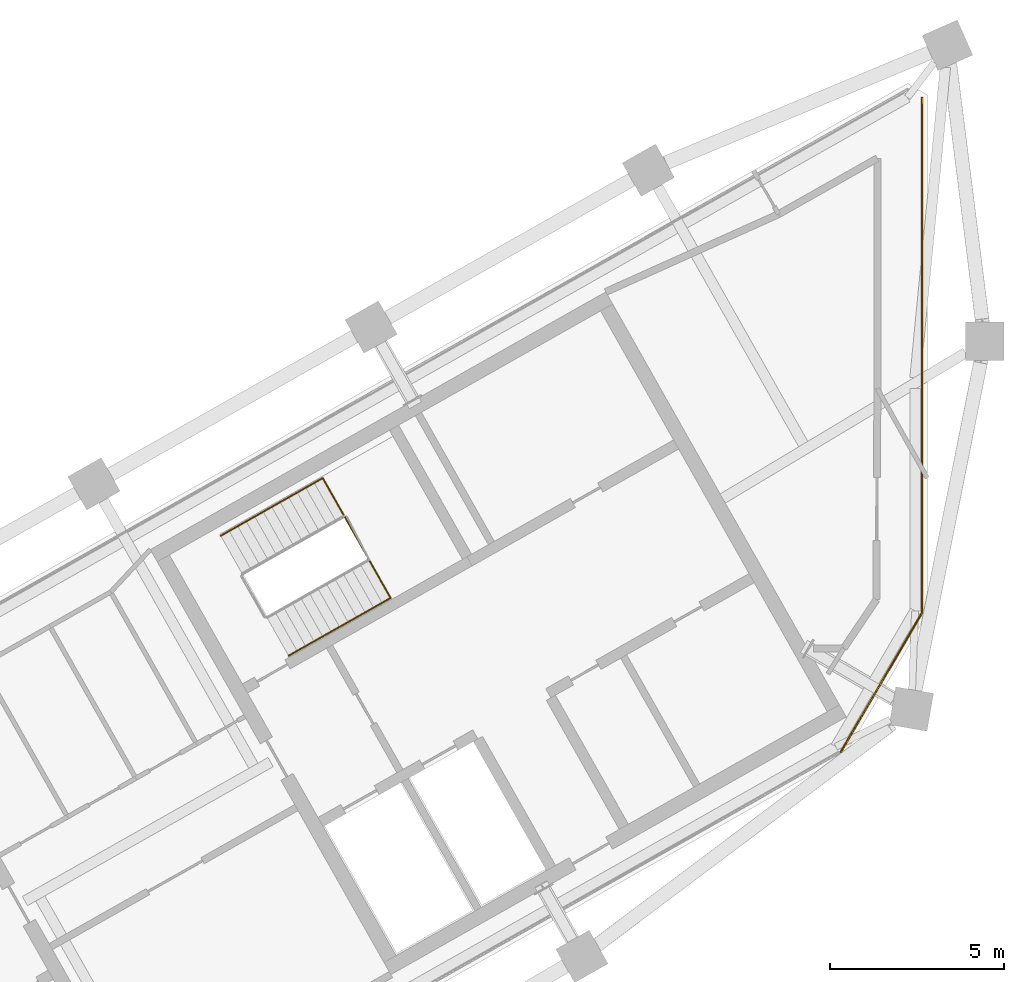
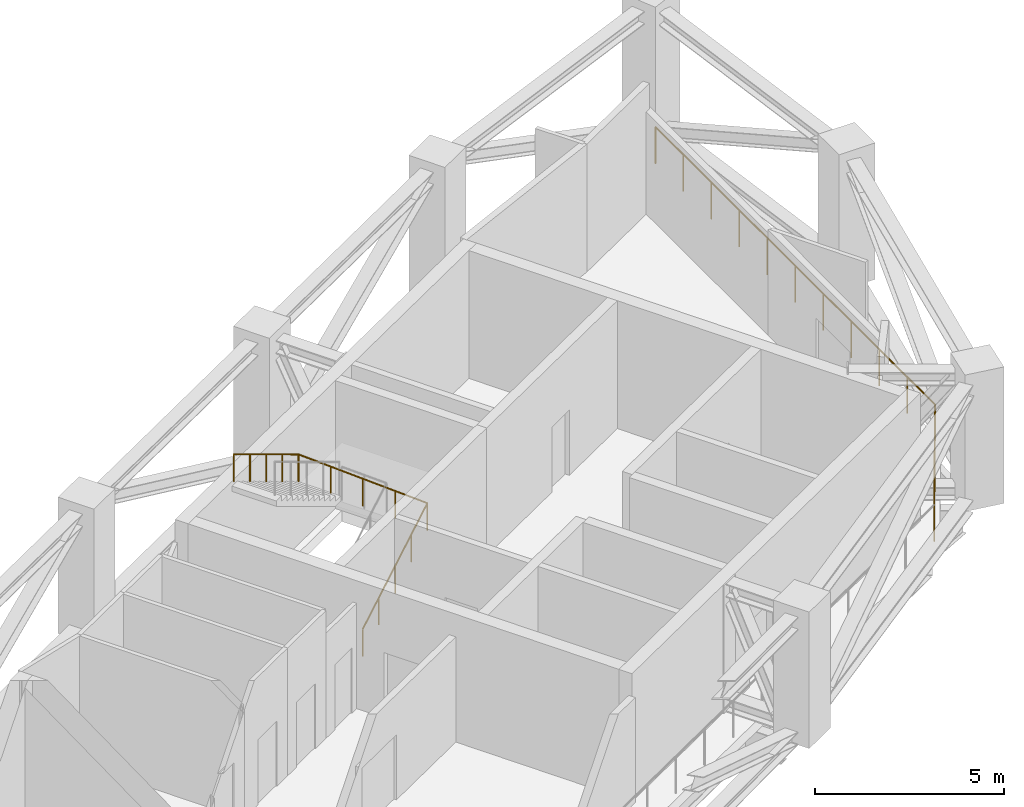
# One storey, part 10 of 10: 3 railings.
"""IFC4 building model written with IfcOpenShell, lengths in metres."""

import ifcopenshell
import ifcopenshell.guid

model = None  # the IFC model being written
_history = None  # IfcOwnerHistory: only IFC2X3 demands one
_inside = {}  # id of a spatial element -> (the spatial element, [elements in it])
_under = {}  # id of a project, library or spatial element -> (it, [spatial elements below it])
_declared = {}  # id of a project -> (the project, [libraries it declares])
_typed = {}  # id of a type object -> (the type object, [elements of that type])
_made_of = {}  # id of a material, layer set ... -> (it, [elements and type objects made of it])


def new_model(schema):
    """Start an empty IFC model of exactly this schema.

    Asked for "IFC4X3", IfcOpenShell would pick the latest addendum, in which some entities
    have other attributes; the version numbers below select the first issue.
    IFC2X3 requires an IfcOwnerHistory on every rooted entity: one is made here for all.
    """
    global model, _history
    if schema == "IFC4X3":
        model = ifcopenshell.file(schema_version=(4, 3, 0, 0))
    else:
        model = ifcopenshell.file(schema=schema)
    _inside.clear()
    _under.clear()
    _declared.clear()
    _typed.clear()
    _made_of.clear()
    _history = None
    if model.schema == "IFC2X3":
        org = make("IfcOrganization", Name="unknown")
        user = make(
            "IfcPersonAndOrganization",
            ThePerson=make("IfcPerson", FamilyName="unknown"),
            TheOrganization=org,
        )
        app = make(
            "IfcApplication",
            ApplicationDeveloper=org,
            Version="unknown",
            ApplicationFullName="unknown",
            ApplicationIdentifier="unknown",
        )
        _history = make(
            "IfcOwnerHistory",
            OwningUser=user,
            OwningApplication=app,
            ChangeAction="ADDED",
            CreationDate=0,
        )
    return model


def make(cls, **values):
    """One entity of the class cls with the attributes given. An attribute that is None is left unset."""
    return model.create_entity(
        cls, **{name: value for name, value in values.items() if value is not None}
    )


def rooted(cls, **values):
    """An entity with a GlobalId (a new one), such as an element, a storey or a relation."""
    return make(cls, GlobalId=ifcopenshell.guid.new(), OwnerHistory=_history, **values)


def si_unit(unit_type, name, prefix=None):
    """IfcSIUnit, for example si_unit("LENGTHUNIT", "METRE", prefix="MILLI")."""
    return make("IfcSIUnit", UnitType=unit_type, Prefix=prefix, Name=name)


def assignment(units):
    """IfcUnitAssignment: the units of a project."""
    return None if units is None else make("IfcUnitAssignment", Units=units)


def point(xyz):
    """IfcCartesianPoint."""
    return None if xyz is None else make("IfcCartesianPoint", Coordinates=xyz)


def direction(xyz):
    """IfcDirection."""
    return None if xyz is None else make("IfcDirection", DirectionRatios=xyz)


def frame(location, z_axis=None, x_axis=None):
    """IfcAxis2Placement3D, a coordinate frame: its origin and axes. An axis left out is left unset."""
    return make(
        "IfcAxis2Placement3D",
        Location=point(location),
        Axis=direction(z_axis),
        RefDirection=direction(x_axis),
    )


def frame_2d(location, x_axis=None):
    """IfcAxis2Placement2D, a coordinate frame in the plane: its origin and x axis."""
    return make(
        "IfcAxis2Placement2D", Location=point(location), RefDirection=direction(x_axis)
    )


def origin():
    """The frame at (0, 0, 0) with its axes left unset."""
    return frame((0.0, 0.0, 0.0))


def origin_2d():
    """The frame at (0, 0) in the plane with its x axis left unset."""
    return frame_2d((0.0, 0.0))


def place(relative_to, where):
    """IfcLocalPlacement: puts the frame where relative to a parent placement (None: the world)."""
    return make(
        "IfcLocalPlacement", PlacementRelTo=relative_to, RelativePlacement=where
    )


def context(
    kind, dimensions, precision=None, world=None, true_north=None, identifier=None
):
    """IfcGeometricRepresentationContext, for example the 3D "Model" context."""
    return make(
        "IfcGeometricRepresentationContext",
        ContextIdentifier=identifier,
        ContextType=kind,
        CoordinateSpaceDimension=dimensions,
        Precision=precision,
        WorldCoordinateSystem=world,
        TrueNorth=true_north,
    )


def subcontext(parent, identifier, kind, view, scale=None):
    """IfcGeometricRepresentationSubContext, for example "Body" below "Model"."""
    return make(
        "IfcGeometricRepresentationSubContext",
        ContextIdentifier=identifier,
        ContextType=kind,
        ParentContext=parent,
        TargetScale=scale,
        TargetView=view,
    )


def project(units=None, contexts=None):
    """IfcProject with its units and contexts."""
    return rooted(
        "IfcProject",
        Name="project",
        RepresentationContexts=contexts,
        UnitsInContext=assignment(units),
    )


def spatial(cls, under=None, at=None, **own):
    """A site, building, storey or space (cls), placed at a placement, below another one or the project."""
    s = rooted(cls, ObjectPlacement=at, **own)
    if under is not None:
        _under.setdefault(under.id(), (under, []))[1].append(s)
    return s


def profile(cls, at=None, kind="AREA", **sizes):
    """A parametric profile (cls). Its sizes go by their IFC names, for example OverallWidth=200.0."""
    return make(cls, ProfileType=kind, Position=at, **sizes)


def circle(**sizes):
    """IfcCircleProfileDef."""
    return profile("IfcCircleProfileDef", **sizes)


def extrude(swept, where, along, depth):
    """IfcExtrudedAreaSolid: the profile swept, set in the frame where, extruded along a direction by depth."""
    return make(
        "IfcExtrudedAreaSolid",
        SweptArea=swept,
        Position=where,
        ExtrudedDirection=direction(along),
        Depth=depth,
    )


def shape(context_of_items, identifier, shape_type, items):
    """IfcShapeRepresentation: the items that make up one representation, for example the "Body"."""
    return make(
        "IfcShapeRepresentation",
        ContextOfItems=context_of_items,
        RepresentationIdentifier=identifier,
        RepresentationType=shape_type,
        Items=items,
    )


def material(Name=None, Category=None):
    """IfcMaterial."""
    return make("IfcMaterial", Name=Name, Category=Category)


def made_of(thing, what):
    """Note that an element or type object is made of a material, layer set ...; save() writes the relation."""
    if what is not None:
        _made_of.setdefault(what.id(), (what, []))[1].append(thing)
    return thing


def type_object(cls, material=None, **own):
    """A type object (cls), such as IfcWallType, which elements share."""
    return made_of(rooted(cls, **own), material)


def element(
    cls,
    number,
    at=None,
    inside=None,
    cuts=None,
    type_object=None,
    material=None,
    context=None,
    identifier="Body",
    shape_type=None,
    held_by="IfcProductDefinitionShape",
    body=None,
    shapes=None,
    **own,
):
    """One element of the class cls, such as IfcWall. Its Tag is "e" and its number.

    at: its placement. inside: the storey or other place that contains it. cuts: it is an
    opening in that element (IfcRelVoidsElement). A single representation is given by context,
    identifier, shape_type and body (its items); several are given by shapes. held_by: the class
    of the entity that holds the representations. save() writes the other relations.
    """
    e = rooted(cls, Tag="e%d" % number, ObjectPlacement=at, **own)
    if body is not None:
        shapes = [shape(context, identifier, shape_type, body)]
    if shapes is not None:
        e.Representation = make(held_by, Representations=shapes)
    if inside is not None:
        _inside.setdefault(inside.id(), (inside, []))[1].append(e)
    if cuts is not None:
        rooted(
            "IfcRelVoidsElement", RelatingBuildingElement=cuts, RelatedOpeningElement=e
        )
    if type_object is not None:
        _typed.setdefault(type_object.id(), (type_object, []))[1].append(e)
    return made_of(e, material)


def aggregate(whole, parts):
    """IfcRelAggregates: a whole, such as a stair, and the parts it consists of."""
    return rooted("IfcRelAggregates", RelatingObject=whole, RelatedObjects=parts)


def save(model, path):
    """Write the relations noted so far, then the file.

    IfcRelAggregates (storeys below a building ...), IfcRelContainedInSpatialStructure (elements
    in a storey), IfcRelDefinesByType, IfcRelAssociatesMaterial and IfcRelDeclares: one each for
    every whole, place, type object, material and project.
    """
    for whole, parts in _under.values():
        aggregate(whole, parts)
    for where, things in _inside.values():
        rooted(
            "IfcRelContainedInSpatialStructure",
            RelatedElements=things,
            RelatingStructure=where,
        )
    for kind, things in _typed.values():
        rooted("IfcRelDefinesByType", RelatedObjects=things, RelatingType=kind)
    for what, things in _made_of.values():
        rooted("IfcRelAssociatesMaterial", RelatedObjects=things, RelatingMaterial=what)
    for by, libraries in _declared.values():
        rooted("IfcRelDeclares", RelatingContext=by, RelatedDefinitions=libraries)
    model.write(path)


model = new_model("IFC4")

# Units and contexts
model_context = context("Model", 3, precision=1e-05, world=origin(), true_north=direction((0.0, 1.0)))
body_context = subcontext(model_context, "Body", "Model", "MODEL_VIEW")
ifc_project = project(units=[si_unit("LENGTHUNIT", "METRE"), si_unit("AREAUNIT", "SQUARE_METRE"), si_unit("VOLUMEUNIT", "CUBIC_METRE"), si_unit("PLANEANGLEUNIT", "RADIAN"), si_unit("MASSUNIT", "GRAM", prefix="KILO")], contexts=[model_context])

# Site, building, storey
site_placement = place(None, origin())
site = spatial("IfcSite", under=ifc_project, at=site_placement, CompositionType="ELEMENT")
building_placement = place(site_placement, origin())
building = spatial("IfcBuilding", under=site, at=building_placement, Name="Binnacle Exchange Tower", CompositionType="ELEMENT")
storey_placement = place(building_placement, frame((0.0, 0.0, 312.10009765625)))
storey = spatial("IfcBuildingStorey", under=building, at=storey_placement, Name="L70", CompositionType="ELEMENT", Elevation=312.10009765625)

# Railings
ifc_material_1 = material(Name="Bronze anodised aluminium frame", Category="aluminium")
railing_type_1 = type_object("IfcRailingType", Name="GUARD 1200", PredefinedType="GUARDRAIL", material=ifc_material_1)
railing_1_placement = place(storey_placement, frame((-2.64990234375, 66.977783203125, 0.0)))
element("IfcRailing", 1, at=railing_1_placement, inside=storey, type_object=railing_type_1, Name="Slab edge guard 5 L70", PredefinedType="GUARDRAIL", context=body_context, shape_type="SweptSolid", body=[
    extrude(circle(Radius=0.02392578125, at=origin_2d()), frame((0.0, 0.0, 1.17578125), z_axis=(0.0, -1.0, 0.0), x_axis=(1.0, 0.0, 0.0)), (0.0, 0.0, 1.0), 14.761474609375),
    extrude(circle(Radius=0.02099609375, at=origin_2d()), origin(), (0.0, 0.0, 1.0), 1.15185546875),
    extrude(circle(Radius=0.02099609375, at=origin_2d()), frame((0.0, -1.47607421875, 0.0)), (0.0, 0.0, 1.0), 1.15185546875),
    extrude(circle(Radius=0.02099609375, at=origin_2d()), frame((0.0, -2.952392578125, 0.0)), (0.0, 0.0, 1.0), 1.15185546875),
    extrude(circle(Radius=0.02099609375, at=origin_2d()), frame((0.0, -4.428466796875, 0.0)), (0.0, 0.0, 1.0), 1.15185546875),
    extrude(circle(Radius=0.02099609375, at=origin_2d()), frame((0.0, -5.904541015625, 0.0)), (0.0, 0.0, 1.0), 1.15185546875),
    extrude(circle(Radius=0.02099609375, at=origin_2d()), frame((0.0, -7.380859375, 0.0)), (0.0, 0.0, 1.0), 1.15185546875),
    extrude(circle(Radius=0.02099609375, at=origin_2d()), frame((0.0, -8.85693359375, 0.0)), (0.0, 0.0, 1.0), 1.15185546875),
    extrude(circle(Radius=0.02099609375, at=origin_2d()), frame((0.0, -10.3330078125, 0.0)), (0.0, 0.0, 1.0), 1.15185546875),
    extrude(circle(Radius=0.02099609375, at=origin_2d()), frame((0.0, -11.80908203125, 0.0)), (0.0, 0.0, 1.0), 1.15185546875),
    extrude(circle(Radius=0.02099609375, at=origin_2d()), frame((0.0, -13.285400390625, 0.0)), (0.0, 0.0, 1.0), 1.15185546875),
    extrude(circle(Radius=0.02099609375, at=origin_2d()), frame((0.0, -14.761474609375, 0.0)), (0.0, 0.0, 1.0), 1.15185546875),
])
railing_2_placement = place(storey_placement, frame((-2.64990234375, 52.21630859375, 0.0)))
element("IfcRailing", 2, at=railing_2_placement, inside=storey, type_object=railing_type_1, Name="Slab edge guard 6 L70", PredefinedType="GUARDRAIL", context=body_context, shape_type="SweptSolid", body=[
    extrude(circle(Radius=0.02392578125, at=origin_2d()), frame((0.0, 0.0, 1.17578125), z_axis=(-0.503788783021, -0.863826870445, 0.0), x_axis=(0.863826870445, -0.503788783021, 0.0)), (0.0, 0.0, 1.0), 4.614501953125),
    extrude(circle(Radius=0.02099609375, at=origin_2d()), origin(), (0.0, 0.0, 1.0), 1.15185546875),
    extrude(circle(Radius=0.02099609375, at=origin_2d()), frame((-0.5810546875, -0.99658203125, 0.0)), (0.0, 0.0, 1.0), 1.15185546875),
    extrude(circle(Radius=0.02099609375, at=origin_2d()), frame((-1.162353515625, -1.9931640625, 0.0)), (0.0, 0.0, 1.0), 1.15185546875),
    extrude(circle(Radius=0.02099609375, at=origin_2d()), frame((-1.74365234375, -2.989501953125, 0.0)), (0.0, 0.0, 1.0), 1.15185546875),
    extrude(circle(Radius=0.02099609375, at=origin_2d()), frame((-2.32470703125, -3.986083984375, 0.0)), (0.0, 0.0, 1.0), 1.15185546875),
])
ifc_material_2 = material(Name="Steel handrail", Category="steel")
railing_type_2 = type_object("IfcRailingType", Name="STAIR HANDRAIL 900", PredefinedType="HANDRAIL", material=ifc_material_2)
railing_3_placement = place(storey_placement, frame((-20.808349609375, 50.984619140625, 0.169189453125)))
element("IfcRailing", 3, at=railing_3_placement, inside=storey, type_object=railing_type_2, Name="L70 STC1 stair handrail 1", PredefinedType="HANDRAIL", context=body_context, shape_type="SweptSolid", body=[
    extrude(circle(Radius=0.02392578125, at=origin_2d()), frame((0.0, 0.0, 0.8759765625), z_axis=(0.744895141965, 0.421417011194, 0.517241655469), x_axis=(-0.49240197835, 0.870367905955, 0.0)), (0.0, 0.0, 1.0), 3.926025390625),
    extrude(circle(Radius=0.02392578125, at=origin_2d()), frame((2.924560546875, 1.654541015625, 2.90673828125), z_axis=(-0.491962556146, 0.869564041126, 0.04279277663), x_axis=(-0.870361318571, -0.492413622004, 0.0)), (0.0, 0.0, 1.0), 3.95361328125),
    extrude(circle(Radius=0.02392578125, at=origin_2d()), frame((0.9794921875, 5.092529296875, 3.07568359375), z_axis=(-0.744895141965, -0.421417011194, 0.517241655469), x_axis=(0.49240197835, -0.870367905955, 0.0)), (0.0, 0.0, 1.0), 3.926025390625),
    extrude(circle(Radius=0.02099609375, at=origin_2d()), origin(), (0.0, 0.0, 1.0), 0.851806640625),
    extrude(circle(Radius=0.02099609375, at=origin_2d()), frame((0.731201171875, 0.41357421875, 0.5078125)), (0.0, 0.0, 1.0), 0.851806640625),
    extrude(circle(Radius=0.02099609375, at=origin_2d()), frame((1.46240234375, 0.8271484375, 1.015380859375)), (0.0, 0.0, 1.0), 0.851806640625),
    extrude(circle(Radius=0.02099609375, at=origin_2d()), frame((2.193359375, 1.240966796875, 1.52294921875)), (0.0, 0.0, 1.0), 0.851806640625),
    extrude(circle(Radius=0.02099609375, at=origin_2d()), frame((2.924560546875, 1.654541015625, 2.03076171875)), (0.0, 0.0, 1.0), 0.851806640625),
    extrude(circle(Radius=0.02099609375, at=origin_2d()), frame((2.438232421875, 2.51416015625, 2.072998046875)), (0.0, 0.0, 1.0), 0.851806640625),
    extrude(circle(Radius=0.02099609375, at=origin_2d()), frame((1.9521484375, 3.37353515625, 2.115234375)), (0.0, 0.0, 1.0), 0.851806640625),
    extrude(circle(Radius=0.02099609375, at=origin_2d()), frame((1.4658203125, 4.23291015625, 2.15771484375)), (0.0, 0.0, 1.0), 0.851806640625),
    extrude(circle(Radius=0.02099609375, at=origin_2d()), frame((0.9794921875, 5.092529296875, 2.199951171875)), (0.0, 0.0, 1.0), 0.851806640625),
    extrude(circle(Radius=0.02099609375, at=origin_2d()), frame((0.248291015625, 4.678955078125, 2.70751953125)), (0.0, 0.0, 1.0), 0.851806640625),
    extrude(circle(Radius=0.02099609375, at=origin_2d()), frame((-0.48291015625, 4.26513671875, 3.21533203125)), (0.0, 0.0, 1.0), 0.851806640625),
    extrude(circle(Radius=0.02099609375, at=origin_2d()), frame((-1.2138671875, 3.8515625, 3.72314453125)), (0.0, 0.0, 1.0), 0.851806640625),
    extrude(circle(Radius=0.02099609375, at=origin_2d()), frame((-1.945068359375, 3.43798828125, 4.230712890625)), (0.0, 0.0, 1.0), 0.851806640625),
])

save(model, "model.ifc")
